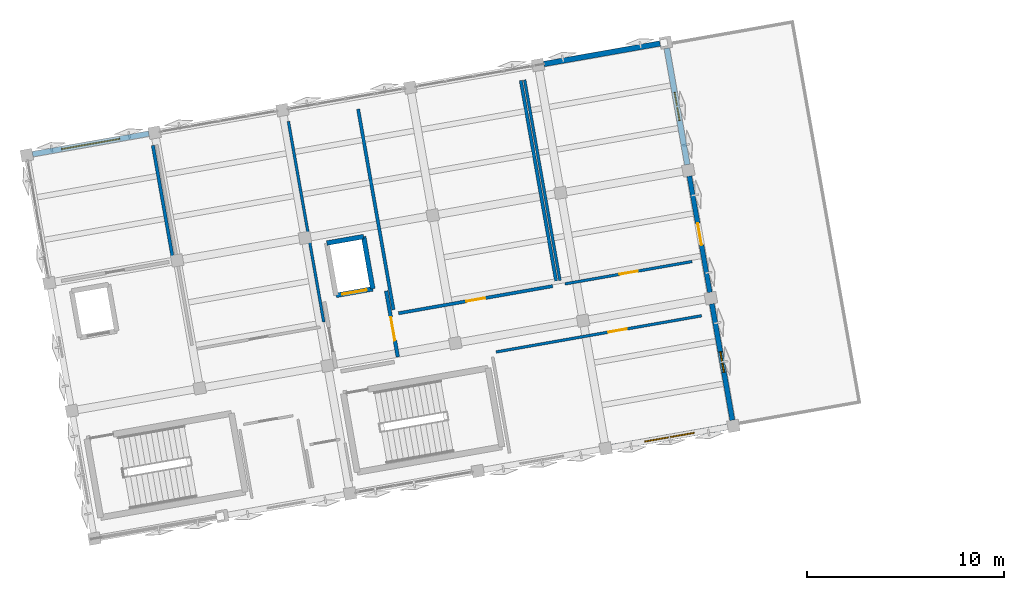
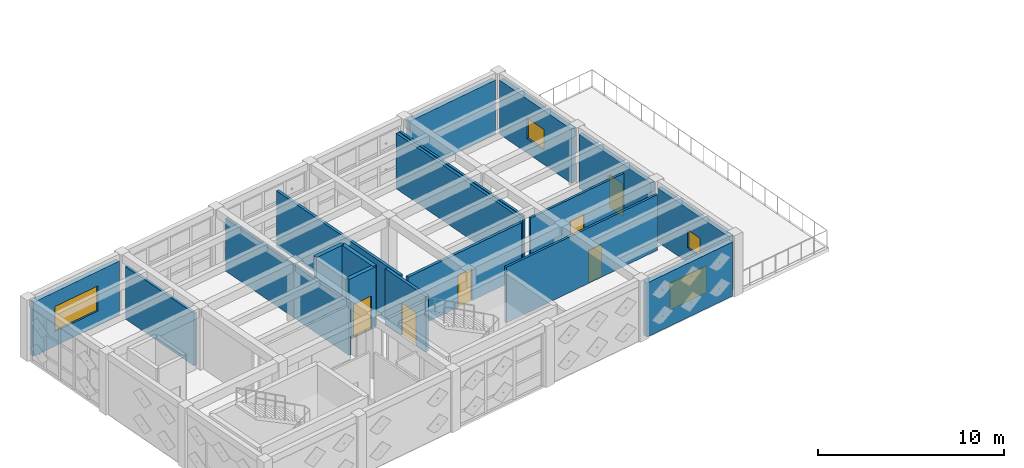
# One storey, part 14 of 18: 18 walls, 6 doors, 4 windows, 10 openings.
"""IFC4 building model written with IfcOpenShell, lengths in metres."""

from ifc_helpers import new_model, si_unit, direction, frame, frame_2d, origin, place, context, subcontext, project, spatial, rectangle, extrude, material, layer, layer_set, type_object, element, fill, save


model = new_model("IFC4")

# Units and contexts
model_context = context("Model", 3, precision=1e-05, world=origin(), true_north=direction((0.0, 1.0)))
body_context = subcontext(model_context, "Body", "Model", "MODEL_VIEW")
ifc_project = project(units=[si_unit("LENGTHUNIT", "METRE"), si_unit("AREAUNIT", "SQUARE_METRE"), si_unit("VOLUMEUNIT", "CUBIC_METRE"), si_unit("PLANEANGLEUNIT", "RADIAN"), si_unit("MASSUNIT", "GRAM", prefix="KILO")], contexts=[model_context])

# Site, building, storey
site_placement = place(None, origin())
site = spatial("IfcSite", under=ifc_project, at=site_placement, CompositionType="ELEMENT")
building_placement = place(site_placement, origin())
building = spatial("IfcBuilding", under=site, at=building_placement, Name="Kharisveld Research Institute", CompositionType="ELEMENT")
storey_placement = place(building_placement, frame((0.0, 0.0, 36.60009765625)))
storey = spatial("IfcBuildingStorey", under=building, at=storey_placement, Name="L08", CompositionType="ELEMENT", Elevation=36.60009765625)

# Walls
ifc_material_1 = material(Name="Concrete C40/50", Category="concrete")
ifc_layer_1 = layer(ifc_material_1, 0.239990234375)
ifc_layer_set_1 = layer_set([ifc_layer_1], Name="WL_CORE_240")
wall_type_1 = type_object("IfcWallType", Name="WL_CORE_240", PredefinedType="SHEAR", material=ifc_layer_set_1)
wall_1_placement = place(storey_placement, frame((17.01953125, 50.040771484375, 0.0), z_axis=(0.0, 0.0, 1.0), x_axis=(0.984815882103, 0.173602068988, 0.0)))
element("IfcWall", 1, at=wall_1_placement, inside=storey, type_object=wall_type_1, Name="WL:LFT:FFL-01:L08:N", PredefinedType="SHEAR", context=body_context, shape_type="SweptSolid", body=[
    extrude(rectangle(XDim=1.89990234375, YDim=0.239990234375, at=frame_2d((0.949951171875, 0.0))), origin(), (0.0, 0.0, 1.0), 3.97998046875),
])
wall_2_placement = place(storey_placement, frame((18.890625, 50.37060546875, 0.0), z_axis=(0.0, 0.0, 1.0), x_axis=(0.173615102578, -0.98481358447, 0.0)))
element("IfcWall", 2, at=wall_2_placement, inside=storey, type_object=wall_type_1, Name="WL:LFT:FFL-01:L08:E", PredefinedType="SHEAR", context=body_context, shape_type="SweptSolid", body=[
    extrude(rectangle(XDim=2.699951171875, YDim=0.239990234375, at=frame_2d((1.35009765625, 0.0))), origin(), (0.0, 0.0, 1.0), 3.97998046875),
])

# Wall, opening, door
wall_3_placement = place(storey_placement, frame((19.359375, 47.711669921875, 0.0), z_axis=(0.0, 0.0, 1.0), x_axis=(-0.984815882103, -0.173602068988, 0.0)))
wall_3 = element("IfcWall", 3, at=wall_3_placement, inside=storey, type_object=wall_type_1, Name="WL:LFT:FFL-01:L08:S", PredefinedType="SHEAR", context=body_context, shape_type="SweptSolid", body=[
    extrude(rectangle(XDim=1.89990234375, YDim=0.239990234375, at=frame_2d((0.949951171875, 0.0))), origin(), (0.0, 0.0, 1.0), 3.97998046875),
])
opening_1_placement = place(wall_3_placement, frame((0.324951171875, 0.0, 0.0)))
opening_1 = element("IfcOpeningElement", 4, at=opening_1_placement, cuts=wall_3, Name="Opening LD-02", PredefinedType="OPENING", context=body_context, shape_type="SweptSolid", body=[
    extrude(rectangle(XDim=1.25, YDim=2.199951171875, at=frame_2d((0.625, 1.10009765625))), frame((0.0, 0.1201171875, 0.0), z_axis=(0.0, -1.0, 0.0), x_axis=(1.0, 0.0, 0.0)), (0.0, 0.0, 1.0), 0.239990234375),
])
ifc_material_2 = material(Name="Flush Painted Hardwood and Anodised Aluminium", Category="wood")
door_type_1 = type_object("IfcDoorType", Name="DR_LFT_125", OperationType="SLIDING_TO_RIGHT", PredefinedType="DOOR", material=ifc_material_2)
door_1_placement = place(opening_1_placement, origin())
door_1 = element("IfcDoor", 5, at=door_1_placement, inside=storey, type_object=door_type_1, Name="FFL-01 Lift Landing Door L08", OperationType="SLIDING_TO_RIGHT", OverallHeight=2.199951171875, OverallWidth=1.25, PredefinedType="DOOR", context=body_context, shape_type="SweptSolid", body=[
    extrude(rectangle(XDim=1.25, YDim=2.199951171875, at=frame_2d((0.625, 1.10009765625))), frame((0.0, 0.02490234375, 0.0), z_axis=(0.0, -1.0, 0.0), x_axis=(1.0, 0.0, 0.0)), (0.0, 0.0, 1.0), 0.050048828125),
])
fill(opening_1, door_1)

ifc_material_3 = material(Name="Lightweight Acoustic Spandrel", Category="mineral")
ifc_layer_2 = layer(ifc_material_3, 0.2451171875)
ifc_layer_set_2 = layer_set([ifc_layer_2], Name="WL_EXT_245")
wall_type_2 = type_object("IfcWallType", Name="WL_EXT_245", PredefinedType="STANDARD", material=ifc_layer_set_2)
wall_4_placement = place(storey_placement, frame((35.457763671875, 53.44921875, 0.0), z_axis=(0.0, 0.0, 1.0), x_axis=(0.173660194111, -0.984805634113, 0.0)))
wall_4 = element("IfcWall", 6, at=wall_4_placement, inside=storey, type_object=wall_type_2, Name="WL:V1:L08:E2", PredefinedType="STANDARD", context=body_context, shape_type="SweptSolid", body=[
    extrude(rectangle(XDim=6.010009765625, YDim=0.2451171875, at=frame_2d((3.0048828125, 0.0))), origin(), (0.0, 0.0, 1.0), 3.554931640625),
])
opening_2_placement = place(wall_4_placement, frame((2.445068359375, 0.0, 0.0)))
opening_2 = element("IfcOpeningElement", 7, at=opening_2_placement, cuts=wall_4, Name="Opening DE-107", PredefinedType="OPENING", context=body_context, shape_type="SweptSolid", body=[
    extrude(rectangle(XDim=1.1201171875, YDim=2.14990234375, at=frame_2d((0.56005859375, 1.074951171875))), frame((0.0, 0.12255859375, 0.0), z_axis=(0.0, -1.0, 0.0), x_axis=(1.0, 0.0, 0.0)), (0.0, 0.0, 1.0), 0.2451171875),
])
ifc_material_4 = material(Name="Thermally Broken Powder-Coated Aluminium", Category="aluminium")
door_type_2 = type_object("IfcDoorType", Name="DR_EXT_112", OperationType="NOTDEFINED", PredefinedType="DOOR", material=ifc_material_4)
door_2_placement = place(opening_2_placement, origin())
door_2 = element("IfcDoor", 8, at=door_2_placement, inside=storey, type_object=door_type_2, Name="DR:V1:L08:TER_E2", OperationType="SINGLE_SWING_RIGHT", OverallHeight=2.14990234375, OverallWidth=1.1201171875, PredefinedType="DOOR", context=body_context, shape_type="SweptSolid", body=[
    extrude(rectangle(XDim=1.1201171875, YDim=2.14990234375, at=frame_2d((0.56005859375, 1.074951171875))), frame((0.0, 0.02490234375, 0.0), z_axis=(0.0, -1.0, 0.0), x_axis=(1.0, 0.0, 0.0)), (0.0, 0.0, 1.0), 0.050048828125),
])
fill(opening_2, door_2)

# Wall, opening, window
ifc_material_5 = material(Name="Precast Concrete C40/50 Thermal Wall", Category="concrete")
ifc_layer_3 = layer(ifc_material_5, 0.260009765625)
ifc_layer_set_3 = layer_set([ifc_layer_3], Name="WL_EXT_260")
wall_type_3 = type_object("IfcWallType", Name="WL_EXT_260", PredefinedType="STANDARD", material=ifc_layer_set_3)
wall_5_placement = place(storey_placement, frame((36.603759765625, 46.94970703125, 0.0), z_axis=(0.0, 0.0, 1.0), x_axis=(0.173660194111, -0.984805634113, 0.0)))
wall_5 = element("IfcWall", 9, at=wall_5_placement, inside=storey, type_object=wall_type_3, Name="WL:V1:L08:E1", PredefinedType="STANDARD", context=body_context, shape_type="SweptSolid", body=[
    extrude(rectangle(XDim=6.010009765625, YDim=0.260009765625, at=frame_2d((3.0048828125, 0.0))), origin(), (0.0, 0.0, 1.0), 3.554931640625),
])
opening_3_placement = place(wall_5_placement, frame((2.47998046875, 0.0, 0.949951171875)))
opening_3 = element("IfcOpeningElement", 10, at=opening_3_placement, cuts=wall_5, Name="Opening WN-11", PredefinedType="OPENING", context=body_context, shape_type="SweptSolid", body=[
    extrude(rectangle(XDim=1.050048828125, YDim=1.199951171875, at=frame_2d((0.52490234375, 0.60009765625))), frame((0.0, 0.1298828125, 0.0), z_axis=(0.0, -1.0, 0.0), x_axis=(1.0, 0.0, 0.0)), (0.0, 0.0, 1.0), 0.260009765625),
])
ifc_material_6 = material(Name="Low-E Double Glazing", Category="glass")
window_type_1 = type_object("IfcWindowType", Name="WN_11", PartitioningType="SINGLE_PANEL", PredefinedType="WINDOW", material=ifc_material_6)
window_1_placement = place(opening_3_placement, origin())
window_1 = element("IfcWindow", 11, at=window_1_placement, inside=storey, type_object=window_type_1, Name="WN:V1:L08:E1", OverallHeight=1.199951171875, OverallWidth=1.050048828125, PartitioningType="SINGLE_PANEL", PredefinedType="WINDOW", context=body_context, shape_type="SweptSolid", body=[
    extrude(rectangle(XDim=1.050048828125, YDim=1.199951171875, at=frame_2d((0.52490234375, 0.60009765625))), frame((0.0, 0.030029296875, 0.0), z_axis=(0.0, -1.0, 0.0), x_axis=(1.0, 0.0, 0.0)), (0.0, 0.0, 1.0), 0.06005859375),
])
fill(opening_3, window_1)

ifc_material_7 = material(Name="Precast Concrete C40/50 Thermal Wall", Category="concrete")
ifc_layer_4 = layer(ifc_material_7, 0.27490234375)
ifc_layer_set_4 = layer_set([ifc_layer_4], Name="WL_EXT_275")
wall_type_4 = type_object("IfcWallType", Name="WL_EXT_275", PredefinedType="STANDARD", material=ifc_layer_set_4)
wall_6_placement = place(storey_placement, frame((2.05224609375, 54.560302734375, 0.0), z_axis=(0.0, 0.0, 1.0), x_axis=(0.984805634113, 0.173660194111, 0.0)))
wall_6 = element("IfcWall", 12, at=wall_6_placement, inside=storey, type_object=wall_type_4, Name="WL:V1:L08:N0", PredefinedType="STANDARD", context=body_context, shape_type="SweptSolid", body=[
    extrude(rectangle(XDim=6.010009765625, YDim=0.27490234375, at=frame_2d((3.0048828125, 0.0))), origin(), (0.0, 0.0, 1.0), 3.554931640625),
])
opening_4_placement = place(wall_6_placement, frame((1.5048828125, 0.0, 0.949951171875)))
opening_4 = element("IfcOpeningElement", 13, at=opening_4_placement, cuts=wall_6, Name="Opening WN-10", PredefinedType="OPENING", context=body_context, shape_type="SweptSolid", body=[
    extrude(rectangle(XDim=3.0, YDim=1.64990234375, at=frame_2d((1.5, 0.824951171875))), frame((0.0, 0.137451171875, 0.0), z_axis=(0.0, -1.0, 0.0), x_axis=(1.0, 0.0, 0.0)), (0.0, 0.0, 1.0), 0.27490234375),
])
ifc_material_8 = material(Name="Low-E Double Glazing", Category="glass")
window_type_2 = type_object("IfcWindowType", Name="WN_10", PartitioningType="TRIPLE_PANEL_VERTICAL", PredefinedType="WINDOW", material=ifc_material_8)
window_2_placement = place(opening_4_placement, origin())
window_2 = element("IfcWindow", 14, at=window_2_placement, inside=storey, type_object=window_type_2, Name="WN:V1:L08:N0", OverallHeight=1.64990234375, OverallWidth=3.0, PartitioningType="SINGLE_PANEL", PredefinedType="WINDOW", context=body_context, shape_type="SweptSolid", body=[
    extrude(rectangle(XDim=3.0, YDim=1.64990234375, at=frame_2d((1.5, 0.824951171875))), frame((0.0, 0.030029296875, 0.0), z_axis=(0.0, -1.0, 0.0), x_axis=(1.0, 0.0, 0.0)), (0.0, 0.0, 1.0), 0.06005859375),
])
fill(opening_4, window_2)

# Wall
wall_7_placement = place(storey_placement, frame((28.05126953125, 59.144775390625, 0.0), z_axis=(0.0, 0.0, 1.0), x_axis=(0.984805634113, 0.173660194111, 0.0)))
element("IfcWall", 15, at=wall_7_placement, inside=storey, type_object=wall_type_4, Name="WL:V1:L08:N4", PredefinedType="STANDARD", context=body_context, shape_type="SweptSolid", body=[
    extrude(rectangle(XDim=6.010009765625, YDim=0.27490234375, at=frame_2d((3.0048828125, 0.0))), origin(), (0.0, 0.0, 1.0), 3.554931640625),
])

# Wall, opening, window
ifc_material_9 = material(Name="Precast Concrete C40/50 Thermal Wall", Category="concrete")
ifc_layer_5 = layer(ifc_material_9, 0.2900390625)
ifc_layer_set_5 = layer_set([ifc_layer_5], Name="WL_EXT_290")
wall_type_5 = type_object("IfcWallType", Name="WL_EXT_290", PredefinedType="STANDARD", material=ifc_layer_set_5)
wall_8_placement = place(storey_placement, frame((34.311767578125, 59.948974609375, 0.0), z_axis=(0.0, 0.0, 1.0), x_axis=(0.173620796507, -0.984812580657, 0.0)))
wall_8 = element("IfcWall", 16, at=wall_8_placement, inside=storey, type_object=wall_type_5, Name="WL:V1:L08:E3", PredefinedType="STANDARD", context=body_context, shape_type="SweptSolid", body=[
    extrude(rectangle(XDim=6.010009765625, YDim=0.2900390625, at=frame_2d((3.0048828125, 0.0))), origin(), (0.0, 0.0, 1.0), 3.554931640625),
])
opening_5_placement = place(wall_8_placement, frame((2.280029296875, 0.0, 0.949951171875)))
opening_5 = element("IfcOpeningElement", 17, at=opening_5_placement, cuts=wall_8, Name="Opening WN-13", PredefinedType="OPENING", context=body_context, shape_type="SweptSolid", body=[
    extrude(rectangle(XDim=1.449951171875, YDim=1.35009765625, at=frame_2d((0.72509765625, 0.675048828125))), frame((0.0, 0.14501953125, 0.0), z_axis=(0.0, -1.0, 0.0), x_axis=(1.0, 0.0, 0.0)), (0.0, 0.0, 1.0), 0.2900390625),
])
ifc_material_10 = material(Name="Low-E Double Glazing", Category="glass")
window_type_3 = type_object("IfcWindowType", Name="WN_13", PartitioningType="DOUBLE_PANEL_VERTICAL", PredefinedType="WINDOW", material=ifc_material_10)
window_3_placement = place(opening_5_placement, origin())
window_3 = element("IfcWindow", 18, at=window_3_placement, inside=storey, type_object=window_type_3, Name="WN:V1:L08:E3", OverallHeight=1.35009765625, OverallWidth=1.449951171875, PartitioningType="SINGLE_PANEL", PredefinedType="WINDOW", context=body_context, shape_type="SweptSolid", body=[
    extrude(rectangle(XDim=1.449951171875, YDim=1.35009765625, at=frame_2d((0.72509765625, 0.675048828125))), frame((0.0, 0.030029296875, 0.0), z_axis=(0.0, -1.0, 0.0), x_axis=(1.0, 0.0, 0.0)), (0.0, 0.0, 1.0), 0.06005859375),
])
fill(opening_5, window_3)

ifc_material_11 = material(Name="Precast Concrete C40/50 Ochre Panel", Category="concrete")
ifc_layer_6 = layer(ifc_material_11, 0.304931640625)
ifc_layer_set_6 = layer_set([ifc_layer_6], Name="WL_EXT_305")
wall_type_6 = type_object("IfcWallType", Name="WL_EXT_305", PredefinedType="STANDARD", material=ifc_layer_set_6)
wall_9_placement = place(storey_placement, frame((37.408203125, 40.689208984375, 0.0), z_axis=(0.0, 0.0, 1.0), x_axis=(-0.984805634113, -0.173660194111, 0.0)))
wall_9 = element("IfcWall", 19, at=wall_9_placement, inside=storey, type_object=wall_type_6, Name="WL:V1:L08:S5", PredefinedType="STANDARD", context=body_context, shape_type="SweptSolid", body=[
    extrude(rectangle(XDim=6.010009765625, YDim=0.304931640625, at=frame_2d((3.0048828125, 0.0))), origin(), (0.0, 0.0, 1.0), 3.554931640625),
])
opening_6_placement = place(wall_9_placement, frame((1.72998046875, 0.0, 0.949951171875)))
opening_6 = element("IfcOpeningElement", 20, at=opening_6_placement, cuts=wall_9, Name="Opening WN-15", PredefinedType="OPENING", context=body_context, shape_type="SweptSolid", body=[
    extrude(rectangle(XDim=2.550048828125, YDim=1.75, at=frame_2d((1.27490234375, 0.875))), frame((0.0, 0.15234375, 0.0), z_axis=(0.0, -1.0, 0.0), x_axis=(1.0, 0.0, 0.0)), (0.0, 0.0, 1.0), 0.304931640625),
])
ifc_material_12 = material(Name="Low-E Double Glazing", Category="glass")
window_type_4 = type_object("IfcWindowType", Name="WN_15", PartitioningType="TRIPLE_PANEL_VERTICAL", PredefinedType="WINDOW", material=ifc_material_12)
window_4_placement = place(opening_6_placement, origin())
window_4 = element("IfcWindow", 21, at=window_4_placement, inside=storey, type_object=window_type_4, Name="WN:V1:L08:S5", OverallHeight=1.75, OverallWidth=2.550048828125, PartitioningType="SINGLE_PANEL", PredefinedType="WINDOW", context=body_context, shape_type="SweptSolid", body=[
    extrude(rectangle(XDim=2.550048828125, YDim=1.75, at=frame_2d((1.27490234375, 0.875))), frame((0.0, 0.030029296875, 0.0), z_axis=(0.0, -1.0, 0.0), x_axis=(1.0, 0.0, 0.0)), (0.0, 0.0, 1.0), 0.06005859375),
])
fill(opening_6, window_4)

# Wall
ifc_material_13 = material(Name="Acoustic Drywall Partition", Category="mineral")
ifc_layer_7 = layer(ifc_material_13, 0.1650390625)
ifc_layer_set_7 = layer_set([ifc_layer_7], Name="WL_LAB_165")
wall_type_7 = type_object("IfcWallType", Name="WL_LAB_165", PredefinedType="PARTITIONING", material=ifc_layer_set_7)
wall_10_placement = place(storey_placement, frame((9.17236328125, 49.33740234375, 0.0), z_axis=(0.0, 0.0, 1.0), x_axis=(-0.173649928941, 0.984807444214, 0.0)))
element("IfcWall", 22, at=wall_10_placement, inside=storey, type_object=wall_type_7, Name="WL:RM:V1:L08:NW8:E", PredefinedType="PARTITIONING", context=body_context, shape_type="SweptSolid", body=[
    extrude(rectangle(XDim=5.760009765625, YDim=0.1650390625, at=frame_2d((2.8798828125, 0.0))), origin(), (0.0, 0.0, 1.0), 3.454833984375),
])

# Wall, opening, door
wall_11_placement = place(storey_placement, frame((20.6650390625, 46.469482421875, 0.0), z_axis=(0.0, 0.0, 1.0), x_axis=(0.984806090425, 0.173657606403, 0.0)))
wall_11 = element("IfcWall", 23, at=wall_11_placement, inside=storey, type_object=wall_type_7, Name="WL:RM:V1:L08:DL8A:S", PredefinedType="PARTITIONING", context=body_context, shape_type="SweptSolid", body=[
    extrude(rectangle(XDim=7.9599609375, YDim=0.1650390625, at=frame_2d((3.97998046875, 0.0))), origin(), (0.0, 0.0, 1.0), 3.554931640625),
])
opening_7_placement = place(wall_11_placement, frame((3.4951171875, 0.0, 0.0)))
opening_7 = element("IfcOpeningElement", 24, at=opening_7_placement, cuts=wall_11, Name="Opening DI-147", PredefinedType="OPENING", context=body_context, shape_type="SweptSolid", body=[
    extrude(rectangle(XDim=0.969970703125, YDim=2.1201171875, at=frame_2d((0.48486328125, 1.06005859375))), frame((0.0, 0.08251953125, 0.0), z_axis=(0.0, -1.0, 0.0), x_axis=(1.0, 0.0, 0.0)), (0.0, 0.0, 1.0), 0.1650390625),
])
ifc_material_14 = material(Name="Flush Painted Hardwood and Anodised Aluminium", Category="wood")
door_type_3 = type_object("IfcDoorType", Name="DR_VAR_03", OperationType="NOTDEFINED", PredefinedType="DOOR", material=ifc_material_14)
door_3_placement = place(opening_7_placement, origin())
door_3 = element("IfcDoor", 25, at=door_3_placement, inside=storey, type_object=door_type_3, Name="DR:RM:V1:L08:DL8A:S", OperationType="SINGLE_SWING_LEFT", OverallHeight=2.1201171875, OverallWidth=0.969970703125, PredefinedType="DOOR", context=body_context, shape_type="SweptSolid", body=[
    extrude(rectangle(XDim=0.969970703125, YDim=2.1201171875, at=frame_2d((0.48486328125, 1.06005859375))), frame((0.0, 0.02490234375, 0.0), z_axis=(0.0, -1.0, 0.0), x_axis=(1.0, 0.0, 0.0)), (0.0, 0.0, 1.0), 0.050048828125),
])
fill(opening_7, door_3)

# Walls
for number, where, z_axis, x_axis, name in (
    (26, (28.6826171875, 48.106689453125, 0.0), (0.0, 0.0, 1.0), (-0.173654930775, 0.984806562233, 0.0), "WL:RM:V1:L08:DL8A:E"),
    (27, (18.611083984375, 56.8505859375, 0.0), (0.0, 0.0, 1.0), (0.173654930775, -0.984806562233, 0.0), "WL:RM:V1:L08:DL8A:W"),
):
    element("IfcWall", number, at=place(storey_placement, frame(where, z_axis=z_axis, x_axis=x_axis)), inside=storey, type_object=wall_type_7, Name=name, PredefinedType="PARTITIONING", context=body_context, shape_type="SweptSolid", body=[
        extrude(rectangle(XDim=10.360107421875, YDim=0.1650390625, at=frame_2d((5.18017578125, 0.0))), origin(), (0.0, 0.0, 1.0), 3.64990234375),
    ])

# Wall, opening, door
ifc_material_15 = material(Name="Masonry Blockwork", Category="masonry")
ifc_layer_8 = layer(ifc_material_15, 0.18505859375)
ifc_layer_set_8 = layer_set([ifc_layer_8], Name="WL_LOB_185")
wall_type_8 = type_object("IfcWallType", Name="WL_LOB_185", PredefinedType="SOLIDWALL", material=ifc_layer_set_8)
wall_12_placement = place(storey_placement, frame((20.6298828125, 44.249755859375, 0.0), z_axis=(0.0, 0.0, 1.0), x_axis=(-0.173621956536, 0.984812376145, 0.0)))
wall_12 = element("IfcWall", 28, at=wall_12_placement, inside=storey, type_object=wall_type_8, Name="WL:RM:V1:L08:FFL:E", PredefinedType="SOLIDWALL", context=body_context, shape_type="SweptSolid", body=[
    extrude(rectangle(XDim=3.409912109375, YDim=0.18505859375, at=frame_2d((1.705078125, 0.0))), origin(), (0.0, 0.0, 1.0), 3.64990234375),
])
opening_8_placement = place(wall_12_placement, frame((0.85009765625, 0.0, 0.0)))
opening_8 = element("IfcOpeningElement", 29, at=opening_8_placement, cuts=wall_12, Name="Opening DI-141", PredefinedType="OPENING", context=body_context, shape_type="SweptSolid", body=[
    extrude(rectangle(XDim=1.199951171875, YDim=2.14990234375, at=frame_2d((0.60009765625, 1.074951171875))), frame((0.0, 0.092529296875, 0.0), z_axis=(0.0, -1.0, 0.0), x_axis=(1.0, 0.0, 0.0)), (0.0, 0.0, 1.0), 0.18505859375),
])
ifc_material_16 = material(Name="Flush Painted Hardwood and Anodised Aluminium", Category="wood")
door_type_4 = type_object("IfcDoorType", Name="DR_FD120_120", OperationType="NOTDEFINED", PredefinedType="DOOR", material=ifc_material_16)
door_4_placement = place(opening_8_placement, origin())
door_4 = element("IfcDoor", 30, at=door_4_placement, inside=storey, type_object=door_type_4, Name="DR:RM:V1:L08:FFL:E", OperationType="SINGLE_SWING_LEFT", OverallHeight=2.14990234375, OverallWidth=1.199951171875, PredefinedType="DOOR", context=body_context, shape_type="SweptSolid", body=[
    extrude(rectangle(XDim=1.199951171875, YDim=2.14990234375, at=frame_2d((0.60009765625, 1.074951171875))), frame((0.0, 0.02490234375, 0.0), z_axis=(0.0, -1.0, 0.0), x_axis=(1.0, 0.0, 0.0)), (0.0, 0.0, 1.0), 0.050048828125),
])
fill(opening_8, door_4)

# Wall
ifc_material_17 = material(Name="Insulated Stud Partition", Category="mineral")
ifc_layer_9 = layer(ifc_material_17, 0.139892578125)
ifc_layer_set_9 = layer_set([ifc_layer_9], Name="WL_OFF_140")
wall_type_9 = type_object("IfcWallType", Name="WL_OFF_140", PredefinedType="PARTITIONING", material=ifc_layer_set_9)
wall_13_placement = place(storey_placement, frame((16.86474609375, 46.02294921875, 0.0), z_axis=(0.0, 0.0, 1.0), x_axis=(-0.173632075677, 0.984810592092, 0.0)))
element("IfcWall", 31, at=wall_13_placement, inside=storey, type_object=wall_type_9, Name="WL:RM:V1:L08:LIB8:E", PredefinedType="PARTITIONING", context=body_context, shape_type="SweptSolid", body=[
    extrude(rectangle(XDim=10.360107421875, YDim=0.139892578125, at=frame_2d((5.18017578125, 0.0))), origin(), (0.0, 0.0, 1.0), 3.454833984375),
])

# Wall, opening, door
wall_14_placement = place(storey_placement, frame((29.13427734375, 47.962890625, 0.0), z_axis=(0.0, 0.0, 1.0), x_axis=(0.984807527483, 0.173649456702, 0.0)))
wall_14 = element("IfcWall", 32, at=wall_14_placement, inside=storey, type_object=wall_type_9, Name="WL:RM:V1:L08:LNG8:S", PredefinedType="PARTITIONING", context=body_context, shape_type="SweptSolid", body=[
    extrude(rectangle(XDim=6.56005859375, YDim=0.139892578125, at=frame_2d((3.280029296875, 0.0))), origin(), (0.0, 0.0, 1.0), 3.554931640625),
])
opening_9_placement = place(wall_14_placement, frame((2.81005859375, 0.0, 0.0)))
opening_9 = element("IfcOpeningElement", 33, at=opening_9_placement, cuts=wall_14, Name="Opening DI-148", PredefinedType="OPENING", context=body_context, shape_type="SweptSolid", body=[
    extrude(rectangle(XDim=0.93994140625, YDim=2.1201171875, at=frame_2d((0.469970703125, 1.06005859375))), frame((0.0, 0.06982421875, 0.0), z_axis=(0.0, -1.0, 0.0), x_axis=(1.0, 0.0, 0.0)), (0.0, 0.0, 1.0), 0.139892578125),
])
ifc_material_18 = material(Name="Flush Painted Hardwood and Anodised Aluminium", Category="wood")
door_type_5 = type_object("IfcDoorType", Name="DR_OFF_094", OperationType="NOTDEFINED", PredefinedType="DOOR", material=ifc_material_18)
door_5_placement = place(opening_9_placement, origin())
door_5 = element("IfcDoor", 34, at=door_5_placement, inside=storey, type_object=door_type_5, Name="DR:RM:V1:L08:LNG8:S", OperationType="SINGLE_SWING_RIGHT", OverallHeight=2.1201171875, OverallWidth=0.93994140625, PredefinedType="DOOR", context=body_context, shape_type="SweptSolid", body=[
    extrude(rectangle(XDim=0.93994140625, YDim=2.1201171875, at=frame_2d((0.469970703125, 1.06005859375))), frame((0.0, 0.02490234375, 0.0), z_axis=(0.0, -1.0, 0.0), x_axis=(1.0, 0.0, 0.0)), (0.0, 0.0, 1.0), 0.050048828125),
])
fill(opening_9, door_5)

# Wall
wall_15_placement = place(storey_placement, frame((27.08056640625, 58.343994140625, 0.0), z_axis=(0.0, 0.0, 1.0), x_axis=(0.173632075677, -0.984810592092, 0.0)))
element("IfcWall", 35, at=wall_15_placement, inside=storey, type_object=wall_type_9, Name="WL:RM:V1:L08:LNG8:W", PredefinedType="PARTITIONING", context=body_context, shape_type="SweptSolid", body=[
    extrude(rectangle(XDim=10.360107421875, YDim=0.139892578125, at=frame_2d((5.18017578125, 0.0))), origin(), (0.0, 0.0, 1.0), 3.64990234375),
])

# Wall, opening, door
wall_16_placement = place(storey_placement, frame((36.080810546875, 46.3447265625, 0.0), z_axis=(0.0, 0.0, 1.0), x_axis=(-0.984805557657, -0.173660627684, 0.0)))
wall_16 = element("IfcWall", 36, at=wall_16_placement, inside=storey, type_object=wall_type_9, Name="WL:RM:V1:L08:WU8S:N", PredefinedType="PARTITIONING", context=body_context, shape_type="SweptSolid", body=[
    extrude(rectangle(XDim=10.60986328125, YDim=0.139892578125, at=frame_2d((5.304931640625, 0.0))), origin(), (0.0, 0.0, 1.0), 3.64990234375),
])
opening_10_placement = place(wall_16_placement, frame((3.867919921875, 0.0, 0.0)))
opening_10 = element("IfcOpeningElement", 37, at=opening_10_placement, cuts=wall_16, Name="Opening DI-149", PredefinedType="OPENING", context=body_context, shape_type="SweptSolid", body=[
    extrude(rectangle(XDim=0.93994140625, YDim=2.1201171875, at=frame_2d((0.469970703125, 1.06005859375))), frame((0.0, 0.06982421875, 0.0), z_axis=(0.0, -1.0, 0.0), x_axis=(1.0, 0.0, 0.0)), (0.0, 0.0, 1.0), 0.139892578125),
])
door_6_placement = place(opening_10_placement, origin())
door_6 = element("IfcDoor", 38, at=door_6_placement, inside=storey, type_object=door_type_5, Name="DR:RM:V1:L08:WU8S:N", OperationType="SINGLE_SWING_LEFT", OverallHeight=2.1201171875, OverallWidth=0.93994140625, PredefinedType="DOOR", context=body_context, shape_type="SweptSolid", body=[
    extrude(rectangle(XDim=0.93994140625, YDim=2.1201171875, at=frame_2d((0.469970703125, 1.06005859375))), frame((0.0, 0.02490234375, 0.0), z_axis=(0.0, -1.0, 0.0), x_axis=(1.0, 0.0, 0.0)), (0.0, 0.0, 1.0), 0.050048828125),
])
fill(opening_10, door_6)

save(model, "model.ifc")
